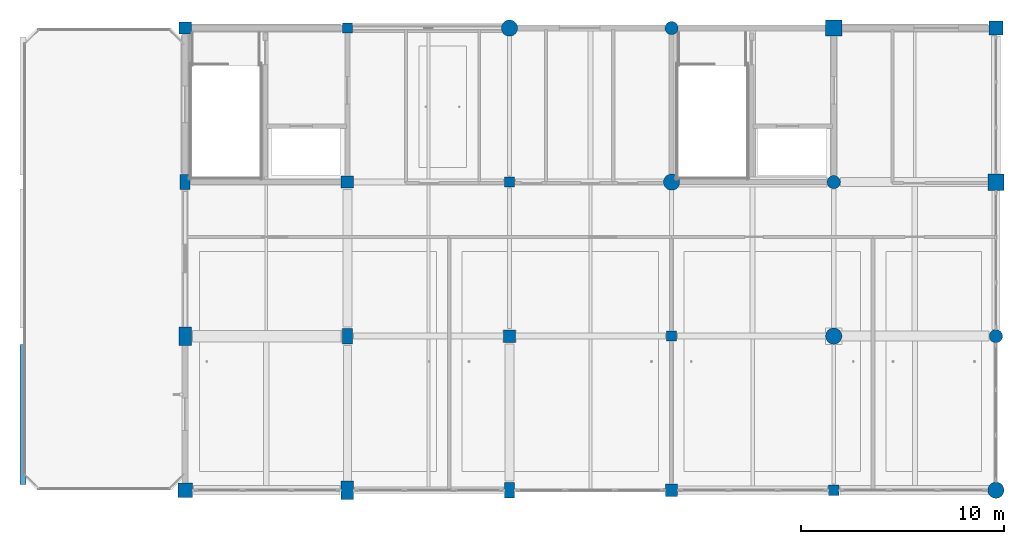
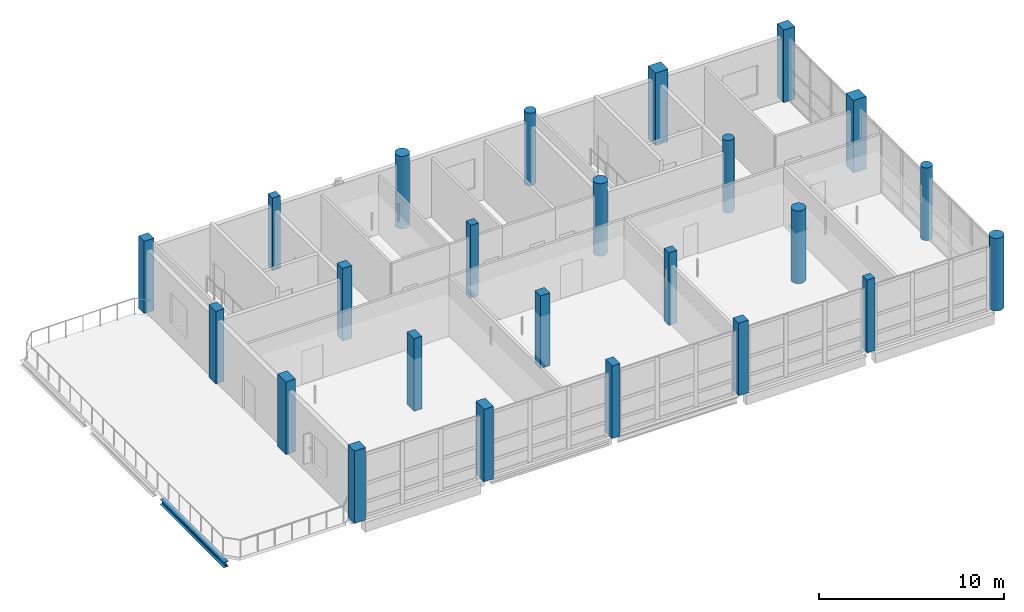
# One storey, part 1 of 18: 24 columns, 1 beam.
"""IFC4 building model written with IfcOpenShell, lengths in metres."""

from ifc_helpers import new_model, si_unit, direction, frame, origin, origin_2d, place, context, subcontext, project, spatial, rectangle, circle, i_section, extrude, material, material_profile, profile_set, type_object, element, save


model = new_model("IFC4")

# Units and contexts
model_context = context("Model", 3, precision=1e-05, world=origin(), true_north=direction((0.0, 1.0)))
body_context = subcontext(model_context, "Body", "Model", "MODEL_VIEW")
ifc_project = project(units=[si_unit("LENGTHUNIT", "METRE"), si_unit("AREAUNIT", "SQUARE_METRE"), si_unit("VOLUMEUNIT", "CUBIC_METRE"), si_unit("PLANEANGLEUNIT", "RADIAN"), si_unit("MASSUNIT", "GRAM", prefix="KILO")], contexts=[model_context])

# Site, building, storey
site_placement = place(None, origin())
site = spatial("IfcSite", under=ifc_project, at=site_placement, CompositionType="ELEMENT")
building_placement = place(site_placement, origin())
building = spatial("IfcBuilding", under=site, at=building_placement, Name="Khelvaren Railside Concert Hall", CompositionType="ELEMENT")
storey_placement = place(building_placement, frame((0.0, 0.0, 24.60009765625)))
storey = spatial("IfcBuildingStorey", under=building, at=storey_placement, Name="L05", CompositionType="ELEMENT", Elevation=24.60009765625)

# Columns
ifc_material_1 = material(Name="Concrete C45/55", Category="concrete")
ifc_material_profile_1 = material_profile(ifc_material_1, rectangle(XDim=0.60009765625, YDim=0.60009765625, at=origin_2d()), Name="RC 600x600")
ifc_profile_set_1 = profile_set([ifc_material_profile_1], Name="Concrete C45/55")
column_type_1 = type_object("IfcColumnType", Name="COL11", PredefinedType="COLUMN", material=ifc_profile_set_1)
for number, where, z_axis, x_axis, name in (
    (1, (144.0, 114.0, 0.0), (0.0, 0.0, 1.0), (1.0, 0.0, 0.0), "V5 L05 Column (144.0,114.0)"),
    (2, (168.0, 91.199951171875, 0.0), (0.0, 0.0, 1.0), (1.0, 0.0, 0.0), "V5 L05 Column (168.0,91.2)"),
):
    element("IfcColumn", number, at=place(storey_placement, frame(where, z_axis=z_axis, x_axis=x_axis)), inside=storey, type_object=column_type_1, Name=name, PredefinedType="COLUMN", context=body_context, shape_type="SweptSolid", body=[
        extrude(rectangle(XDim=0.60009765625, YDim=0.60009765625, at=origin_2d()), origin(), (0.0, 0.0, 1.0), 4.7998046875),
    ])
ifc_material_profile_2 = material_profile(ifc_material_1, circle(Radius=0.39990234375, at=origin_2d()), Name="RC D800")
ifc_profile_set_2 = profile_set([ifc_material_profile_2], Name="Concrete C45/55")
column_type_2 = type_object("IfcColumnType", Name="COL14", PredefinedType="COLUMN", material=ifc_profile_set_2)
for number, where, z_axis, x_axis, name in (
    (3, (168.0, 106.39990234375, 0.0), (0.0, 0.0, 1.0), (1.0, 0.0, 0.0), "V5 L05 Column (168.0,106.4)"),
    (4, (176.0, 98.800048828125, 0.0), (0.0, 0.0, 1.0), (1.0, 0.0, 0.0), "V5 L05 Column (176.0,98.8)"),
):
    element("IfcColumn", number, at=place(storey_placement, frame(where, z_axis=z_axis, x_axis=x_axis)), inside=storey, type_object=column_type_2, Name=name, PredefinedType="COLUMN", context=body_context, shape_type="SweptSolid", body=[
        extrude(circle(Radius=0.39990234375, at=origin_2d()), origin(), (0.0, 0.0, 1.0), 4.7998046875),
    ])
ifc_material_profile_3 = material_profile(ifc_material_1, rectangle(XDim=0.699951171875, YDim=0.699951171875, at=origin_2d()), Name="RC 700x700")
ifc_profile_set_3 = profile_set([ifc_material_profile_3], Name="Concrete C45/55")
column_type_3 = type_object("IfcColumnType", Name="COL16", PredefinedType="COLUMN", material=ifc_profile_set_3)
for number, where, z_axis, x_axis, name in (
    (5, (144.0, 91.199951171875, 0.0), (0.0, 0.0, 1.0), (1.0, 0.0, 0.0), "V5 L05 Column (144.0,91.2)"),
    (6, (184.0, 114.0, 0.0), (0.0, 0.0, 1.0), (1.0, 0.0, 0.0), "V5 L05 Column (184.0,114.0)"),
):
    element("IfcColumn", number, at=place(storey_placement, frame(where, z_axis=z_axis, x_axis=x_axis)), inside=storey, type_object=column_type_3, Name=name, PredefinedType="COLUMN", context=body_context, shape_type="SweptSolid", body=[
        extrude(rectangle(XDim=0.699951171875, YDim=0.699951171875, at=origin_2d()), origin(), (0.0, 0.0, 1.0), 4.7998046875),
    ])
ifc_material_profile_4 = material_profile(ifc_material_1, circle(Radius=0.39990234375, at=origin_2d()), Name="RC D800")
ifc_profile_set_4 = profile_set([ifc_material_profile_4], Name="Concrete C45/55")
column_type_4 = type_object("IfcColumnType", Name="COL22", PredefinedType="COLUMN", material=ifc_profile_set_4)
for number, where, z_axis, x_axis, name in (
    (7, (160.0, 114.0, 0.0), (0.0, 0.0, 1.0), (1.0, 0.0, 0.0), "V5 L05 Column (160.0,114.0)"),
    (8, (184.0, 91.199951171875, 0.0), (0.0, 0.0, 1.0), (1.0, 0.0, 0.0), "V5 L05 Column (184.0,91.2)"),
):
    element("IfcColumn", number, at=place(storey_placement, frame(where, z_axis=z_axis, x_axis=x_axis)), inside=storey, type_object=column_type_4, Name=name, PredefinedType="COLUMN", context=body_context, shape_type="SweptSolid", body=[
        extrude(circle(Radius=0.39990234375, at=origin_2d()), origin(), (0.0, 0.0, 1.0), 4.7998046875),
    ])
ifc_material_profile_5 = material_profile(ifc_material_1, rectangle(XDim=0.60009765625, YDim=0.60009765625, at=origin_2d()), Name="RC 600x600")
ifc_profile_set_5 = profile_set([ifc_material_profile_5], Name="Concrete C45/55")
column_type_5 = type_object("IfcColumnType", Name="COL29", PredefinedType="COLUMN", material=ifc_profile_set_5)
for number, where, z_axis, x_axis, name in (
    (9, (152.0, 106.39990234375, 0.0), (0.0, 0.0, 1.0), (1.0, 0.0, 0.0), "V5 L05 Column (152.0,106.4)"),
    (10, (160.0, 98.800048828125, 0.0), (0.0, 0.0, 1.0), (1.0, 0.0, 0.0), "V5 L05 Column (160.0,98.8)"),
):
    element("IfcColumn", number, at=place(storey_placement, frame(where, z_axis=z_axis, x_axis=x_axis)), inside=storey, type_object=column_type_5, Name=name, PredefinedType="COLUMN", context=body_context, shape_type="SweptSolid", body=[
        extrude(rectangle(XDim=0.60009765625, YDim=0.60009765625, at=origin_2d()), origin(), (0.0, 0.0, 1.0), 4.7998046875),
    ])
ifc_material_profile_6 = material_profile(ifc_material_1, rectangle(XDim=0.5, YDim=0.5, at=origin_2d()), Name="RC 500x500")
ifc_profile_set_6 = profile_set([ifc_material_profile_6], Name="Concrete C45/55")
column_type_6 = type_object("IfcColumnType", Name="COL35", PredefinedType="COLUMN", material=ifc_profile_set_6)
for number, where, z_axis, x_axis, name in (
    (11, (152.0, 114.0, 0.0), (0.0, 0.0, 1.0), (1.0, 0.0, 0.0), "V5 L05 Column (152.0,114.0)"),
    (12, (176.0, 91.199951171875, 0.0), (0.0, 0.0, 1.0), (1.0, 0.0, 0.0), "V5 L05 Column (176.0,91.2)"),
):
    element("IfcColumn", number, at=place(storey_placement, frame(where, z_axis=z_axis, x_axis=x_axis)), inside=storey, type_object=column_type_6, Name=name, PredefinedType="COLUMN", context=body_context, shape_type="SweptSolid", body=[
        extrude(rectangle(XDim=0.5, YDim=0.5, at=origin_2d()), origin(), (0.0, 0.0, 1.0), 4.7998046875),
    ])
ifc_material_profile_7 = material_profile(ifc_material_1, rectangle(XDim=0.5, YDim=0.75, at=origin_2d()), Name="RC 500x750")
ifc_profile_set_7 = profile_set([ifc_material_profile_7], Name="Concrete C45/55")
column_type_7 = type_object("IfcColumnType", Name="COL36", PredefinedType="COLUMN", material=ifc_profile_set_7)
column_1_placement = place(storey_placement, frame((152.0, 98.800048828125, 0.0), z_axis=(0.0, 0.0, 1.0), x_axis=(1.0, 0.0, 0.0)))
element("IfcColumn", 13, at=column_1_placement, inside=storey, type_object=column_type_7, Name="V5 L05 Column (152.0,98.8)", PredefinedType="COLUMN", context=body_context, shape_type="SweptSolid", body=[
    extrude(rectangle(XDim=0.5, YDim=0.75, at=origin_2d()), origin(), (0.0, 0.0, 1.0), 4.7998046875),
])
ifc_material_profile_8 = material_profile(ifc_material_1, rectangle(XDim=0.800048828125, YDim=0.800048828125, at=origin_2d()), Name="RC 800x800")
ifc_profile_set_8 = profile_set([ifc_material_profile_8], Name="Concrete C45/55")
column_type_8 = type_object("IfcColumnType", Name="COL38", PredefinedType="COLUMN", material=ifc_profile_set_8)
for number, where, z_axis, x_axis, name in (
    (14, (176.0, 114.0, 0.0), (0.0, 0.0, 1.0), (1.0, 0.0, 0.0), "V5 L05 Column (176.0,114.0)"),
    (15, (184.0, 106.39990234375, 0.0), (0.0, 0.0, 1.0), (1.0, 0.0, 0.0), "V5 L05 Column (184.0,106.4)"),
):
    element("IfcColumn", number, at=place(storey_placement, frame(where, z_axis=z_axis, x_axis=x_axis)), inside=storey, type_object=column_type_8, Name=name, PredefinedType="COLUMN", context=body_context, shape_type="SweptSolid", body=[
        extrude(rectangle(XDim=0.800048828125, YDim=0.800048828125, at=origin_2d()), origin(), (0.0, 0.0, 1.0), 4.7998046875),
    ])
ifc_material_profile_9 = material_profile(ifc_material_1, circle(Radius=0.324951171875, at=origin_2d()), Name="RC D650")
ifc_profile_set_9 = profile_set([ifc_material_profile_9], Name="Concrete C45/55")
column_type_9 = type_object("IfcColumnType", Name="COL53", PredefinedType="COLUMN", material=ifc_profile_set_9)
for number, where, z_axis, x_axis, name in (
    (16, (168.0, 114.0, 0.0), (0.0, 0.0, 1.0), (1.0, 0.0, 0.0), "V5 L05 Column (168.0,114.0)"),
    (17, (184.0, 98.800048828125, 0.0), (0.0, 0.0, 1.0), (1.0, 0.0, 0.0), "V5 L05 Column (184.0,98.8)"),
):
    element("IfcColumn", number, at=place(storey_placement, frame(where, z_axis=z_axis, x_axis=x_axis)), inside=storey, type_object=column_type_9, Name=name, PredefinedType="COLUMN", context=body_context, shape_type="SweptSolid", body=[
        extrude(circle(Radius=0.324951171875, at=origin_2d()), origin(), (0.0, 0.0, 1.0), 4.7998046875),
    ])
ifc_material_profile_10 = material_profile(ifc_material_1, rectangle(XDim=0.5, YDim=0.5, at=origin_2d()), Name="RC 500x500")
ifc_profile_set_10 = profile_set([ifc_material_profile_10], Name="Concrete C45/55")
column_type_10 = type_object("IfcColumnType", Name="COL84", PredefinedType="COLUMN", material=ifc_profile_set_10)
for number, where, z_axis, x_axis, name in (
    (18, (160.0, 106.39990234375, 0.0), (0.0, 0.0, 1.0), (1.0, 0.0, 0.0), "V5 L05 Column (160.0,106.4)"),
    (19, (168.0, 98.800048828125, 0.0), (0.0, 0.0, 1.0), (1.0, 0.0, 0.0), "V5 L05 Column (168.0,98.8)"),
):
    element("IfcColumn", number, at=place(storey_placement, frame(where, z_axis=z_axis, x_axis=x_axis)), inside=storey, type_object=column_type_10, Name=name, PredefinedType="COLUMN", context=body_context, shape_type="SweptSolid", body=[
        extrude(rectangle(XDim=0.5, YDim=0.5, at=origin_2d()), origin(), (0.0, 0.0, 1.0), 4.7998046875),
    ])
ifc_material_profile_11 = material_profile(ifc_material_1, circle(Radius=0.324951171875, at=origin_2d()), Name="RC D650")
ifc_profile_set_11 = profile_set([ifc_material_profile_11], Name="Concrete C45/55")
column_type_11 = type_object("IfcColumnType", Name="COL94", PredefinedType="COLUMN", material=ifc_profile_set_11)
column_2_placement = place(storey_placement, frame((176.0, 106.39990234375, 0.0), z_axis=(0.0, 0.0, 1.0), x_axis=(1.0, 0.0, 0.0)))
element("IfcColumn", 20, at=column_2_placement, inside=storey, type_object=column_type_11, Name="V5 L05 Column (176.0,106.4)", PredefinedType="COLUMN", context=body_context, shape_type="SweptSolid", body=[
    extrude(circle(Radius=0.324951171875, at=origin_2d()), origin(), (0.0, 0.0, 1.0), 4.7998046875),
])
ifc_material_profile_12 = material_profile(ifc_material_1, rectangle(XDim=0.60009765625, YDim=0.89990234375, at=origin_2d()), Name="RC 600x900")
ifc_profile_set_12 = profile_set([ifc_material_profile_12], Name="Concrete C45/55")
column_type_12 = type_object("IfcColumnType", Name="COL95", PredefinedType="COLUMN", material=ifc_profile_set_12)
for number, where, z_axis, x_axis, name in (
    (21, (144.0, 98.800048828125, 0.0), (0.0, 0.0, 1.0), (1.0, 0.0, 0.0), "V5 L05 Column (144.0,98.8)"),
    (22, (152.0, 91.199951171875, 0.0), (0.0, 0.0, 1.0), (1.0, 0.0, 0.0), "V5 L05 Column (152.0,91.2)"),
):
    element("IfcColumn", number, at=place(storey_placement, frame(where, z_axis=z_axis, x_axis=x_axis)), inside=storey, type_object=column_type_12, Name=name, PredefinedType="COLUMN", context=body_context, shape_type="SweptSolid", body=[
        extrude(rectangle(XDim=0.60009765625, YDim=0.89990234375, at=origin_2d()), origin(), (0.0, 0.0, 1.0), 4.7998046875),
    ])
ifc_material_profile_13 = material_profile(ifc_material_1, rectangle(XDim=0.5, YDim=0.75, at=origin_2d()), Name="RC 500x750")
ifc_profile_set_13 = profile_set([ifc_material_profile_13], Name="Concrete C45/55")
column_type_13 = type_object("IfcColumnType", Name="COL97", PredefinedType="COLUMN", material=ifc_profile_set_13)
for number, where, z_axis, x_axis, name in (
    (23, (144.0, 106.39990234375, 0.0), (0.0, 0.0, 1.0), (1.0, 0.0, 0.0), "V5 L05 Column (144.0,106.4)"),
    (24, (160.0, 91.199951171875, 0.0), (0.0, 0.0, 1.0), (1.0, 0.0, 0.0), "V5 L05 Column (160.0,91.2)"),
):
    element("IfcColumn", number, at=place(storey_placement, frame(where, z_axis=z_axis, x_axis=x_axis)), inside=storey, type_object=column_type_13, Name=name, PredefinedType="COLUMN", context=body_context, shape_type="SweptSolid", body=[
        extrude(rectangle(XDim=0.5, YDim=0.75, at=origin_2d()), origin(), (0.0, 0.0, 1.0), 4.7998046875),
    ])

# Beam
ifc_material_2 = material(Name="Steel S355", Category="steel")
ifc_material_profile_14 = material_profile(ifc_material_2, i_section(OverallWidth=0.300048828125, OverallDepth=0.35009765625, WebThickness=0.010009765625, FlangeThickness=0.017578125, FilletRadius=0.027099609375, at=origin_2d()), Name="HEA 360")
ifc_profile_set_14 = profile_set([ifc_material_profile_14], Name="Steel S355")
beam_type = type_object("IfcBeamType", Name="SP38", PredefinedType="SPANDREL", material=ifc_profile_set_14)
beam_placement = place(storey_placement, frame((136.0, 91.472900390625, -0.385009765625), z_axis=(0.0, 1.0, 0.0), x_axis=(-1.0, 0.0, 0.0)))
element("IfcBeam", 25, at=beam_placement, inside=storey, type_object=beam_type, Name="V5 L05 Terrace Edge Spandrel 30", PredefinedType="SPANDREL", context=body_context, shape_type="SweptSolid", body=[
    extrude(i_section(OverallWidth=0.300048828125, OverallDepth=0.35009765625, WebThickness=0.010009765625, FlangeThickness=0.017578125, FilletRadius=0.027099609375, at=origin_2d()), origin(), (0.0, 0.0, 1.0), 6.927001953125),
])

save(model, "model.ifc")
